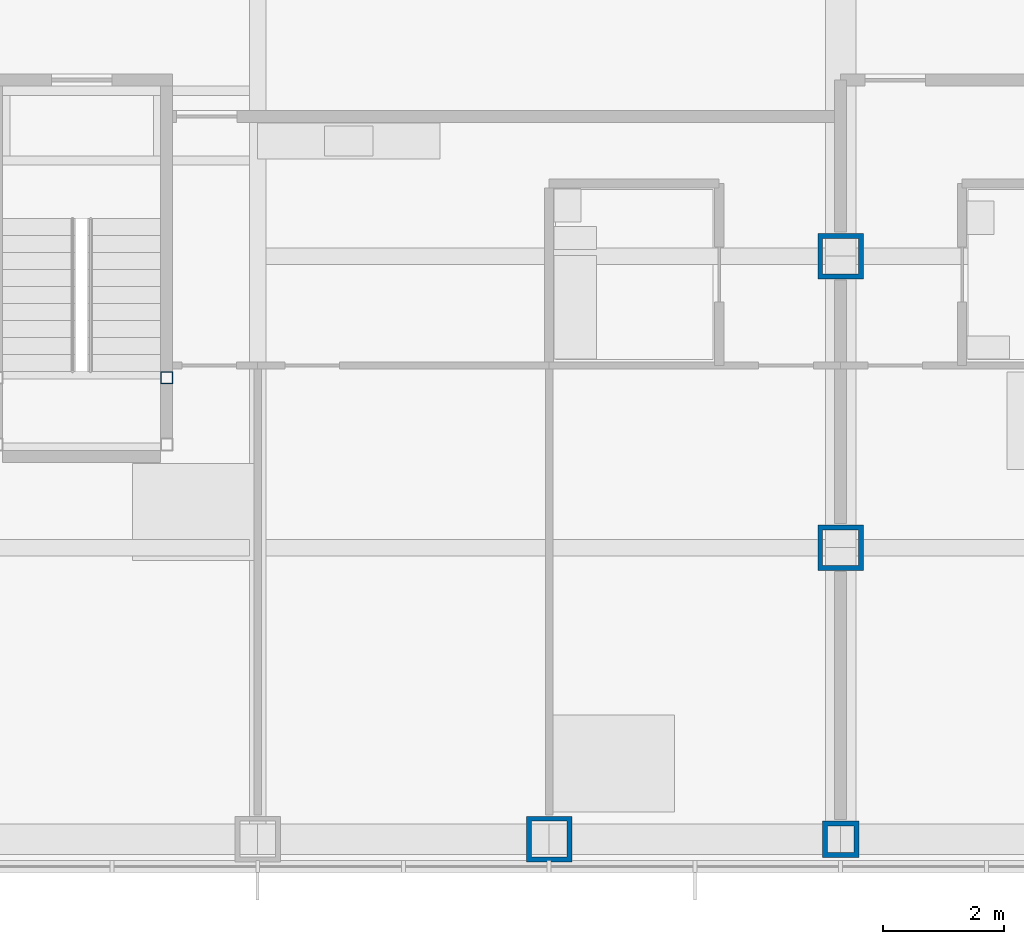
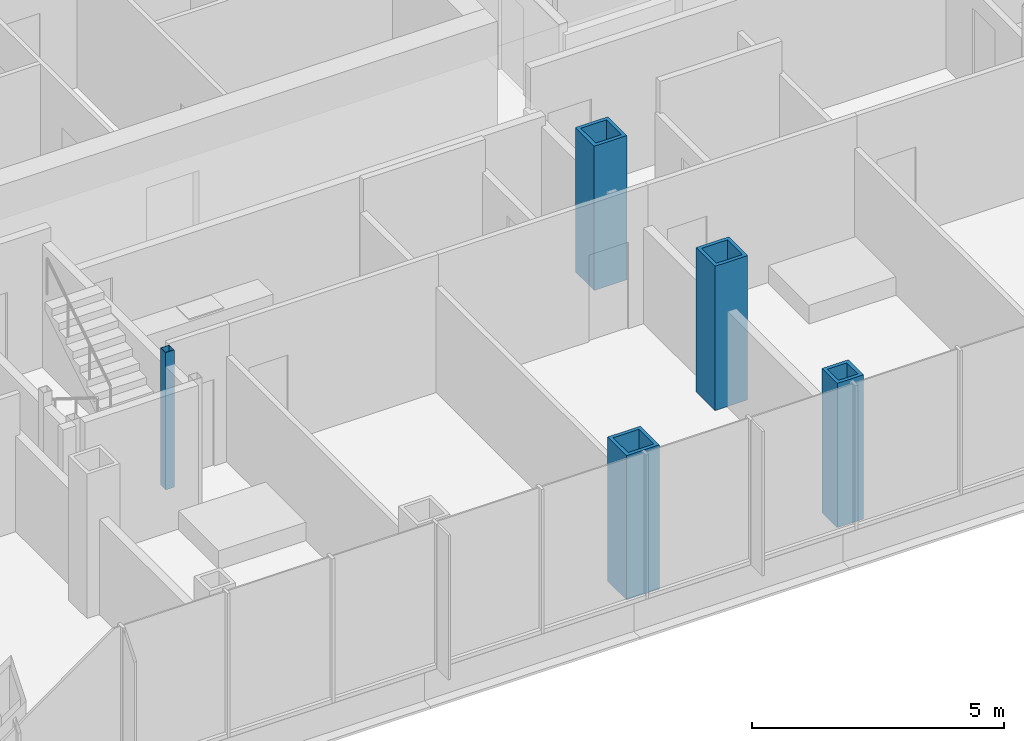
# One storey, part 2 of 21: 5 columns.
"""IFC4 building model written with IfcOpenShell, lengths in metres."""

from ifc_helpers import new_model, si_unit, direction, frame, origin, origin_2d, place, context, subcontext, project, spatial, hollow_rectangle, extrude, material, material_profile, profile_set, type_object, element, save


model = new_model("IFC4")

# Units and contexts
model_context = context("Model", 3, precision=1e-05, world=origin(), true_north=direction((0.0, 1.0)))
body_context = subcontext(model_context, "Body", "Model", "MODEL_VIEW")
ifc_project = project(units=[si_unit("LENGTHUNIT", "METRE"), si_unit("AREAUNIT", "SQUARE_METRE"), si_unit("VOLUMEUNIT", "CUBIC_METRE"), si_unit("PLANEANGLEUNIT", "RADIAN"), si_unit("MASSUNIT", "GRAM", prefix="KILO")], contexts=[model_context])

# Site, building, storey
site_placement = place(None, origin())
site = spatial("IfcSite", under=ifc_project, at=site_placement, CompositionType="ELEMENT")
building_placement = place(site_placement, origin())
building = spatial("IfcBuilding", under=site, at=building_placement, Name="Kvirike Care Tower", CompositionType="ELEMENT")
storey_placement = place(building_placement, frame((0.0, 0.0, 62.0)))
storey = spatial("IfcBuildingStorey", under=building, at=storey_placement, Name="L16", CompositionType="ELEMENT", Elevation=62.0)

# Columns
ifc_material_1 = material(Name="Steel S460", Category="steel")
ifc_material_profile_1 = material_profile(ifc_material_1, hollow_rectangle(XDim=0.60009765625, YDim=0.60009765625, WallThickness=0.080078125, at=origin_2d()), Name="BX 600x600x80")
ifc_profile_set_1 = profile_set([ifc_material_profile_1], Name="Steel S460")
column_type_1 = type_object("IfcColumnType", Name="COLUMN BX 600x600x80", PredefinedType="COLUMN", material=ifc_profile_set_1)
column_1_placement = place(storey_placement, frame((28.800048828125, 14.39990234375, 0.0), z_axis=(0.0, 0.0, 1.0), x_axis=(0.0, 1.0, 0.0)))
element("IfcColumn", 1, at=column_1_placement, inside=storey, type_object=column_type_1, Name="Column D9 L16", PredefinedType="COLUMN", context=body_context, shape_type="SweptSolid", body=[
    extrude(hollow_rectangle(XDim=0.60009765625, YDim=0.60009765625, WallThickness=0.080078125, at=origin_2d()), origin(), (0.0, 0.0, 1.0), 3.5),
])
ifc_material_2 = material(Name="Steel S460", Category="steel")
ifc_material_profile_2 = material_profile(ifc_material_2, hollow_rectangle(XDim=0.75, YDim=0.75, WallThickness=0.080078125, at=origin_2d()), Name="BX 750x750x80")
ifc_profile_set_2 = profile_set([ifc_material_profile_2], Name="Steel S460")
column_type_2 = type_object("IfcColumnType", Name="COLUMN BX 750x750x80", PredefinedType="COLUMN", material=ifc_profile_set_2)
for number, where, z_axis, x_axis, name in (
    (2, (24.0, 14.39990234375, 0.0), (0.0, 0.0, 1.0), (0.0, 1.0, 0.0), "Column D8 L16"),
    (3, (28.800048828125, 19.199951171875, 0.0), (0.0, 0.0, 1.0), (1.0, 0.0, 0.0), "Column E9 L16"),
    (4, (28.800048828125, 24.0, 0.0), (0.0, 0.0, 1.0), (1.0, 0.0, 0.0), "Column F9 L16"),
):
    element("IfcColumn", number, at=place(storey_placement, frame(where, z_axis=z_axis, x_axis=x_axis)), inside=storey, type_object=column_type_2, Name=name, PredefinedType="COLUMN", context=body_context, shape_type="SweptSolid", body=[
        extrude(hollow_rectangle(XDim=0.75, YDim=0.75, WallThickness=0.080078125, at=origin_2d()), origin(), (0.0, 0.0, 1.0), 3.5),
    ])
ifc_material_3 = material(Name="Steel S460", Category="steel")
ifc_material_profile_3 = material_profile(ifc_material_3, hollow_rectangle(XDim=0.199951171875, YDim=0.199951171875, WallThickness=0.008056640625, at=origin_2d()), Name="SHS 200x200x8")
ifc_profile_set_3 = profile_set([ifc_material_profile_3], Name="Steel S460")
column_type_3 = type_object("IfcColumnType", Name="STAIR POST SHS 200x200x8", PredefinedType="COLUMN", material=ifc_profile_set_3)
column_2_placement = place(storey_placement, frame((17.699951171875, 22.0, 0.0), z_axis=(0.0, 0.0, 1.0), x_axis=(1.0, 0.0, 0.0)))
element("IfcColumn", 5, at=column_2_placement, inside=storey, type_object=column_type_3, Name="Stair 5 post 4 L16", PredefinedType="COLUMN", context=body_context, shape_type="SweptSolid", body=[
    extrude(hollow_rectangle(XDim=0.199951171875, YDim=0.199951171875, WallThickness=0.008056640625, at=origin_2d()), origin(), (0.0, 0.0, 1.0), 3.330078125),
])

save(model, "model.ifc")
